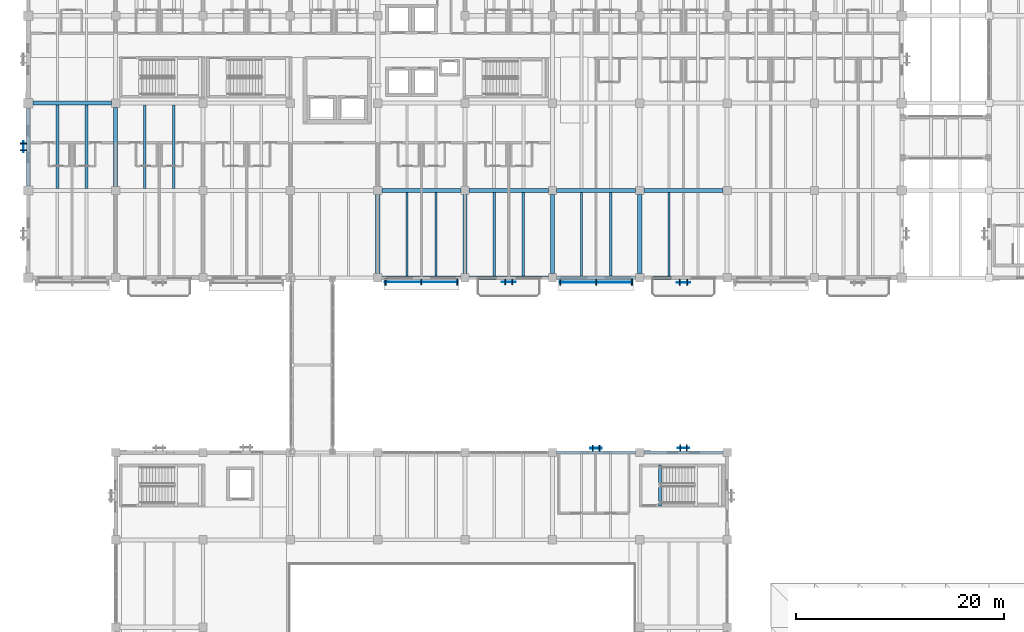
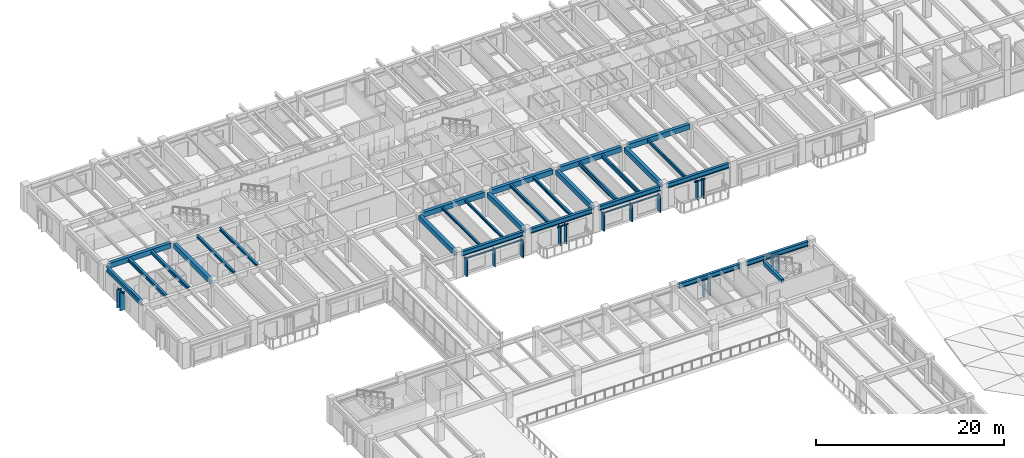
# One storey, part 17 of 123: 29 beams, 23 members, 7 elements without a shape of their own.
"""IFC4 building model written with IfcOpenShell, lengths in metres."""

from ifc_helpers import new_model, si_unit, direction, frame, origin, origin_2d, place, context, subcontext, project, spatial, rectangle, i_section, extrude, material, material_profile, profile_set, type_object, element, aggregate, save


model = new_model("IFC4")

# Units and contexts
model_context = context("Model", 3, precision=1e-05, world=origin(), true_north=direction((0.0, 1.0)))
body_context = subcontext(model_context, "Body", "Model", "MODEL_VIEW")
ifc_project = project(units=[si_unit("LENGTHUNIT", "METRE"), si_unit("AREAUNIT", "SQUARE_METRE"), si_unit("VOLUMEUNIT", "CUBIC_METRE"), si_unit("PLANEANGLEUNIT", "RADIAN"), si_unit("MASSUNIT", "GRAM", prefix="KILO")], contexts=[model_context])

# Site, building, storey
site_placement = place(None, origin())
site = spatial("IfcSite", under=ifc_project, at=site_placement, CompositionType="ELEMENT")
building_placement = place(site_placement, origin())
building = spatial("IfcBuilding", under=site, at=building_placement, Name="Cumbredor Promenade Congress Hotel", CompositionType="ELEMENT")
storey_placement = place(building_placement, frame((0.0, 0.0, 11.760009765625)))
storey = spatial("IfcBuildingStorey", under=building, at=storey_placement, Name="L03", CompositionType="ELEMENT", Elevation=11.760009765625)

# Beams
ifc_material_1 = material(Name="Concrete C40/50", Category="concrete")
ifc_material_profile_1 = material_profile(ifc_material_1, rectangle(XDim=0.39990234375, YDim=0.64990234375, at=origin_2d()), Name="RC BEAM 400x650")
ifc_profile_set_1 = profile_set([ifc_material_profile_1], Name="Concrete C40/50")
beam_type_1 = type_object("IfcBeamType", Name="BM-RC-400x650", PredefinedType="BEAM", material=ifc_profile_set_1)
beam_1_placement = place(storey_placement, frame((0.449951171875, 100.800048828125, 2.794921875), z_axis=(1.0, 0.0, 0.0), x_axis=(0.0, 1.0, 0.0)))
element("IfcBeam", 1, at=beam_1_placement, inside=storey, type_object=beam_type_1, Name="L04 X-Grid Beam 005", PredefinedType="BEAM", context=body_context, shape_type="SweptSolid", body=[
    extrude(rectangle(XDim=0.39990234375, YDim=0.64990234375, at=origin_2d()), origin(), (0.0, 0.0, 1.0), 7.550048828125),
])
beam_2_placement = place(storey_placement, frame((8.39990234375, 92.800048828125, 2.794921875), z_axis=(0.0, 1.0, 0.0), x_axis=(-1.0, 0.0, 0.0)))
element("IfcBeam", 2, at=beam_2_placement, inside=storey, type_object=beam_type_1, Name="L04 Y-Grid Beam 028", PredefinedType="BEAM", context=body_context, shape_type="SweptSolid", body=[
    extrude(rectangle(XDim=0.39990234375, YDim=0.64990234375, at=origin_2d()), origin(), (0.0, 0.0, 1.0), 7.599853515625),
])
for number, where, z_axis, x_axis, name in (
    (3, (33.60009765625, 84.39990234375, 2.715087890625), (0.0, 1.0, 0.0), (-1.0, 0.0, 0.0), "L04 Y-Grid Beam 069"),
    (4, (34.0, 92.39990234375, 2.715087890625), (1.0, 0.0, 0.0), (0.0, 1.0, 0.0), "L04 X-Grid Beam 070"),
    (5, (42.0, 84.39990234375, 2.715087890625), (0.0, 1.0, 0.0), (-1.0, 0.0, 0.0), "L04 Y-Grid Beam 082"),
    (6, (42.39990234375, 92.39990234375, 2.715087890625), (1.0, 0.0, 0.0), (0.0, 1.0, 0.0), "L04 X-Grid Beam 083"),
    (7, (50.39990234375, 84.39990234375, 2.715087890625), (0.0, 1.0, 0.0), (-1.0, 0.0, 0.0), "L04 Y-Grid Beam 095"),
):
    element("IfcBeam", number, at=place(storey_placement, frame(where, z_axis=z_axis, x_axis=x_axis)), inside=storey, type_object=beam_type_1, Name=name, PredefinedType="BEAM", context=body_context, shape_type="SweptSolid", body=[
        extrude(rectangle(XDim=0.39990234375, YDim=0.64990234375, at=origin_2d()), origin(), (0.0, 0.0, 1.0), 7.60009765625),
    ])
beam_3_placement = place(storey_placement, frame((50.800048828125, 92.39990234375, 2.715087890625), z_axis=(1.0, 0.0, 0.0), x_axis=(0.0, 1.0, 0.0)))
element("IfcBeam", 8, at=beam_3_placement, inside=storey, type_object=beam_type_1, Name="L04 X-Grid Beam 096", PredefinedType="BEAM", context=body_context, shape_type="SweptSolid", body=[
    extrude(rectangle(XDim=0.39990234375, YDim=0.64990234375, at=origin_2d()), origin(), (0.0, 0.0, 1.0), 7.599853515625),
])
for number, where, z_axis, x_axis, name in (
    (9, (58.800048828125, 84.39990234375, 2.715087890625), (0.0, 1.0, 0.0), (-1.0, 0.0, 0.0), "L04 Y-Grid Beam 117"),
    (10, (59.199951171875, 92.39990234375, 2.715087890625), (1.0, 0.0, 0.0), (0.0, 1.0, 0.0), "L04 X-Grid Beam 118"),
):
    element("IfcBeam", number, at=place(storey_placement, frame(where, z_axis=z_axis, x_axis=x_axis)), inside=storey, type_object=beam_type_1, Name=name, PredefinedType="BEAM", context=body_context, shape_type="SweptSolid", body=[
        extrude(rectangle(XDim=0.39990234375, YDim=0.64990234375, at=origin_2d()), origin(), (0.0, 0.0, 1.0), 7.60009765625),
    ])
ifc_material_2 = material(Name="Steel ASTM A992 Grade 50", Category="steel")
ifc_material_profile_2 = material_profile(ifc_material_2, i_section(OverallWidth=0.323974609375, OverallDepth=0.611083984375, WebThickness=0.0126953125, FlangeThickness=0.01904296875, at=origin_2d()), Name="W24X104")
ifc_profile_set_2 = profile_set([ifc_material_profile_2], Name="Steel ASTM A992 Grade 50")
beam_type_2 = type_object("IfcBeamType", Name="BM-W24X104", PredefinedType="BEAM", material=ifc_profile_set_2)
for number, where, z_axis, x_axis, name in (
    (11, (34.0, 84.0, 2.734375), (1.0, 0.0, 0.0), (0.0, 1.0, 0.0), "L04 X-Grid Beam 068"),
    (12, (42.39990234375, 84.0, 2.734375), (1.0, 0.0, 0.0), (0.0, 1.0, 0.0), "L04 X-Grid Beam 081"),
):
    element("IfcBeam", number, at=place(storey_placement, frame(where, z_axis=z_axis, x_axis=x_axis)), inside=storey, type_object=beam_type_2, Name=name, PredefinedType="BEAM", context=body_context, shape_type="SweptSolid", body=[
        extrude(i_section(OverallWidth=0.323974609375, OverallDepth=0.611083984375, WebThickness=0.0126953125, FlangeThickness=0.01904296875, at=origin_2d()), origin(), (0.0, 0.0, 1.0), 7.60009765625),
    ])
for number, where, z_axis, x_axis, name in (
    (13, (50.800048828125, 67.199951171875, 2.814453125), (1.0, 0.0, 0.0), (0.0, 1.0, 0.0), "L04 X-Grid Beam 093"),
    (14, (50.800048828125, 84.0, 2.734375), (1.0, 0.0, 0.0), (0.0, 1.0, 0.0), "L04 X-Grid Beam 094"),
):
    element("IfcBeam", number, at=place(storey_placement, frame(where, z_axis=z_axis, x_axis=x_axis)), inside=storey, type_object=beam_type_2, Name=name, PredefinedType="BEAM", context=body_context, shape_type="SweptSolid", body=[
        extrude(i_section(OverallWidth=0.323974609375, OverallDepth=0.611083984375, WebThickness=0.0126953125, FlangeThickness=0.01904296875, at=origin_2d()), origin(), (0.0, 0.0, 1.0), 7.599853515625),
    ])
for number, where, z_axis, x_axis, name in (
    (15, (59.199951171875, 67.199951171875, 2.814453125), (1.0, 0.0, 0.0), (0.0, 1.0, 0.0), "L04 X-Grid Beam 115"),
    (16, (59.199951171875, 84.0, 2.734375), (1.0, 0.0, 0.0), (0.0, 1.0, 0.0), "L04 X-Grid Beam 116"),
):
    element("IfcBeam", number, at=place(storey_placement, frame(where, z_axis=z_axis, x_axis=x_axis)), inside=storey, type_object=beam_type_2, Name=name, PredefinedType="BEAM", context=body_context, shape_type="SweptSolid", body=[
        extrude(i_section(OverallWidth=0.323974609375, OverallDepth=0.611083984375, WebThickness=0.0126953125, FlangeThickness=0.01904296875, at=origin_2d()), origin(), (0.0, 0.0, 1.0), 7.60009765625),
    ])

# Curtain wall, member
ifc_material_3 = material(Name="Thermally broken anodized aluminium and low-E glass", Category="aluminium")
curtain_wall_type = type_object("IfcCurtainWallType", Name="Solar Brise-Soleil Screen Assembly CW-07", PredefinedType="NOTDEFINED", material=ifc_material_3)
curtain_wall_1_placement = place(storey_placement, origin())
curtain_wall_1 = element("IfcCurtainWall", 17, at=curtain_wall_1_placement, inside=storey, type_object=curtain_wall_type, Name="L03 Pier Brise-Soleil Screen 0541", PredefinedType="NOTDEFINED")
ifc_material_4 = material(Name="Thermally broken anodized aluminium", Category="aluminium")
ifc_material_profile_3 = material_profile(ifc_material_4, rectangle(XDim=0.06494140625, YDim=0.1298828125, at=origin_2d()), Name="ALU TRANSOM 65x130")
ifc_profile_set_3 = profile_set([ifc_material_profile_3], Name="Thermally broken anodized aluminium")
member_type_1 = type_object("IfcMemberType", Name="Curtain Wall Transom TR-01", PredefinedType="USERDEFINED", material=ifc_profile_set_3)
member_1_placement = place(storey_placement, frame((54.050048828125, 67.610107421875, 2.333984375), z_axis=(1.0, 0.0, 0.0), x_axis=(0.0, 1.0, 0.0)))
member_1 = element("IfcMember", 18, at=member_1_placement, type_object=member_type_1, Name="L03 Pier Brise-Soleil Header 0543", ObjectType="TRANSOM", PredefinedType="USERDEFINED", context=body_context, shape_type="SweptSolid", body=[
    extrude(rectangle(XDim=0.06494140625, YDim=0.1298828125, at=origin_2d()), origin(), (0.0, 0.0, 1.0), 1.099853515625),
])

curtain_wall_2_placement = place(storey_placement, origin())
curtain_wall_2 = element("IfcCurtainWall", 19, at=curtain_wall_2_placement, inside=storey, type_object=curtain_wall_type, Name="L03 Pier Brise-Soleil Screen 0544", PredefinedType="NOTDEFINED")
member_2_placement = place(storey_placement, frame((62.449951171875, 67.62255859375, 2.333984375), z_axis=(1.0, 0.0, 0.0), x_axis=(0.0, 1.0, 0.0)))
member_2 = element("IfcMember", 20, at=member_2_placement, type_object=member_type_1, Name="L03 Pier Brise-Soleil Header 0546", ObjectType="TRANSOM", PredefinedType="USERDEFINED", context=body_context, shape_type="SweptSolid", body=[
    extrude(rectangle(XDim=0.06494140625, YDim=0.1298828125, at=origin_2d()), origin(), (0.0, 0.0, 1.0), 1.10009765625),
])

curtain_wall_3_placement = place(storey_placement, origin())
curtain_wall_3 = element("IfcCurtainWall", 21, at=curtain_wall_3_placement, inside=storey, type_object=curtain_wall_type, Name="L03 Hospitality Brise-Soleil Screen 058", PredefinedType="NOTDEFINED")
member_3_placement = place(storey_placement, frame((34.301025390625, 83.60009765625, 2.23388671875), z_axis=(1.0, 0.0, 0.0), x_axis=(0.0, 1.0, 0.0)))
member_3 = element("IfcMember", 22, at=member_3_placement, type_object=member_type_1, Name="L03 Brise-Soleil Screen Transom 058", ObjectType="TRANSOM", PredefinedType="USERDEFINED", context=body_context, shape_type="SweptSolid", body=[
    extrude(rectangle(XDim=0.06494140625, YDim=0.1298828125, at=origin_2d()), origin(), (0.0, 0.0, 1.0), 6.998046875),
])

curtain_wall_4_placement = place(storey_placement, origin())
curtain_wall_4 = element("IfcCurtainWall", 23, at=curtain_wall_4_placement, inside=storey, type_object=curtain_wall_type, Name="L03 Veranda Solar Brise-Soleil Screen 631", PredefinedType="NOTDEFINED")
member_4_placement = place(storey_placement, frame((45.550048828125, 83.590087890625, 2.333984375), z_axis=(1.0, 0.0, 0.0), x_axis=(0.0, 1.0, 0.0)))
member_4 = element("IfcMember", 24, at=member_4_placement, type_object=member_type_1, Name="L03 Brise-Soleil Header Tie 0633", ObjectType="TRANSOM", PredefinedType="USERDEFINED", context=body_context, shape_type="SweptSolid", body=[
    extrude(rectangle(XDim=0.06494140625, YDim=0.1298828125, at=origin_2d()), origin(), (0.0, 0.0, 1.0), 1.300048828125),
])

curtain_wall_5_placement = place(storey_placement, origin())
curtain_wall_5 = element("IfcCurtainWall", 25, at=curtain_wall_5_placement, inside=storey, type_object=curtain_wall_type, Name="L03 Hospitality Brise-Soleil Screen 059", PredefinedType="NOTDEFINED")
member_5_placement = place(storey_placement, frame((51.10107421875, 83.577392578125, 2.23388671875), z_axis=(1.0, 0.0, 0.0), x_axis=(0.0, 1.0, 0.0)))
member_5 = element("IfcMember", 26, at=member_5_placement, type_object=member_type_1, Name="L03 Brise-Soleil Screen Transom 059", ObjectType="TRANSOM", PredefinedType="USERDEFINED", context=body_context, shape_type="SweptSolid", body=[
    extrude(rectangle(XDim=0.06494140625, YDim=0.1298828125, at=origin_2d()), origin(), (0.0, 0.0, 1.0), 6.998046875),
])

curtain_wall_6_placement = place(storey_placement, origin())
curtain_wall_6 = element("IfcCurtainWall", 27, at=curtain_wall_6_placement, inside=storey, type_object=curtain_wall_type, Name="L03 Veranda Solar Brise-Soleil Screen 637", PredefinedType="NOTDEFINED")
member_6_placement = place(storey_placement, frame((62.35009765625, 83.56494140625, 2.333984375), z_axis=(1.0, 0.0, 0.0), x_axis=(0.0, 1.0, 0.0)))
member_6 = element("IfcMember", 28, at=member_6_placement, type_object=member_type_1, Name="L03 Brise-Soleil Header Tie 0639", ObjectType="TRANSOM", PredefinedType="USERDEFINED", context=body_context, shape_type="SweptSolid", body=[
    extrude(rectangle(XDim=0.06494140625, YDim=0.1298828125, at=origin_2d()), origin(), (0.0, 0.0, 1.0), 1.2998046875),
])

curtain_wall_7_placement = place(storey_placement, origin())
curtain_wall_7 = element("IfcCurtainWall", 29, at=curtain_wall_7_placement, inside=storey, type_object=curtain_wall_type, Name="L03 Pier Brise-Soleil Screen 0676", PredefinedType="NOTDEFINED")
member_7_placement = place(storey_placement, frame((-0.472412109375, 96.050048828125, 2.333984375), z_axis=(0.0, 1.0, 0.0), x_axis=(-1.0, 0.0, 0.0)))
member_7 = element("IfcMember", 30, at=member_7_placement, type_object=member_type_1, Name="L03 Pier Brise-Soleil Header 0678", ObjectType="TRANSOM", PredefinedType="USERDEFINED", context=body_context, shape_type="SweptSolid", body=[
    extrude(rectangle(XDim=0.06494140625, YDim=0.1298828125, at=origin_2d()), origin(), (0.0, 0.0, 1.0), 1.099853515625),
])

# Beams
ifc_material_profile_4 = material_profile(ifc_material_2, i_section(OverallWidth=0.202880859375, OverallDepth=0.302978515625, WebThickness=0.007568359375, FlangeThickness=0.01318359375, at=origin_2d()), Name="W12X40")
ifc_profile_set_4 = profile_set([ifc_material_profile_4], Name="Steel ASTM A992 Grade 50")
beam_type_3 = type_object("IfcBeamType", Name="JST-W12X40", PredefinedType="JOIST", material=ifc_profile_set_4)
for number, where, z_axis, x_axis, name in (
    (31, (36.39990234375, 84.162109375, 2.888427734375), (0.0, 1.0, 0.0), (-1.0, 0.0, 0.0), "L04 Secondary Floor Joist 0040"),
    (32, (39.199951171875, 84.162109375, 2.888427734375), (0.0, 1.0, 0.0), (-1.0, 0.0, 0.0), "L04 Secondary Floor Joist 0041"),
):
    element("IfcBeam", number, at=place(storey_placement, frame(where, z_axis=z_axis, x_axis=x_axis)), inside=storey, type_object=beam_type_3, Name=name, PredefinedType="JOIST", context=body_context, shape_type="SweptSolid", body=[
        extrude(i_section(OverallWidth=0.202880859375, OverallDepth=0.302978515625, WebThickness=0.007568359375, FlangeThickness=0.01318359375, at=origin_2d()), origin(), (0.0, 0.0, 1.0), 8.037841796875),
    ])
ifc_material_profile_5 = material_profile(ifc_material_2, i_section(OverallWidth=0.2548828125, OverallDepth=0.35693359375, WebThickness=0.010498046875, FlangeThickness=0.018310546875, at=origin_2d()), Name="W14X68")
ifc_profile_set_5 = profile_set([ifc_material_profile_5], Name="Steel ASTM A992 Grade 50")
beam_type_4 = type_object("IfcBeamType", Name="JST-W14X68", PredefinedType="JOIST", material=ifc_profile_set_5)
for number, where, z_axis, x_axis, name in (
    (33, (11.199951171875, 92.60009765625, 2.94140625), (0.0, 1.0, 0.0), (-1.0, 0.0, 0.0), "L04 Secondary Floor Joist 0021"),
    (34, (14.0, 92.60009765625, 2.94140625), (0.0, 1.0, 0.0), (-1.0, 0.0, 0.0), "L04 Secondary Floor Joist 0022"),
):
    element("IfcBeam", number, at=place(storey_placement, frame(where, z_axis=z_axis, x_axis=x_axis)), inside=storey, type_object=beam_type_4, Name=name, PredefinedType="JOIST", context=body_context, shape_type="SweptSolid", body=[
        extrude(i_section(OverallWidth=0.2548828125, OverallDepth=0.35693359375, WebThickness=0.010498046875, FlangeThickness=0.018310546875, at=origin_2d()), origin(), (0.0, 0.0, 1.0), 8.0),
    ])
for number, where, z_axis, x_axis, name in (
    (35, (44.800048828125, 84.162109375, 2.861572265625), (0.0, 1.0, 0.0), (-1.0, 0.0, 0.0), "L04 Secondary Floor Joist 0046"),
    (36, (47.60009765625, 84.162109375, 2.861572265625), (0.0, 1.0, 0.0), (-1.0, 0.0, 0.0), "L04 Secondary Floor Joist 0047"),
):
    element("IfcBeam", number, at=place(storey_placement, frame(where, z_axis=z_axis, x_axis=x_axis)), inside=storey, type_object=beam_type_4, Name=name, PredefinedType="JOIST", context=body_context, shape_type="SweptSolid", body=[
        extrude(i_section(OverallWidth=0.2548828125, OverallDepth=0.35693359375, WebThickness=0.010498046875, FlangeThickness=0.018310546875, at=origin_2d()), origin(), (0.0, 0.0, 1.0), 8.037841796875),
    ])
ifc_material_profile_6 = material_profile(ifc_material_2, i_section(OverallWidth=0.180908203125, OverallDepth=0.4169921875, WebThickness=0.010986328125, FlangeThickness=0.018310546875, at=origin_2d()), Name="W16X57")
ifc_profile_set_6 = profile_set([ifc_material_profile_6], Name="Steel ASTM A992 Grade 50")
beam_type_5 = type_object("IfcBeamType", Name="JST-W16X57", PredefinedType="JOIST", material=ifc_profile_set_6)
beam_4_placement = place(storey_placement, frame((61.60009765625, 84.162109375, 2.83154296875), z_axis=(0.0, 1.0, 0.0), x_axis=(-1.0, 0.0, 0.0)))
element("IfcBeam", 37, at=beam_4_placement, inside=storey, type_object=beam_type_5, Name="L04 Secondary Floor Joist 0072", PredefinedType="JOIST", context=body_context, shape_type="SweptSolid", body=[
    extrude(i_section(OverallWidth=0.180908203125, OverallDepth=0.4169921875, WebThickness=0.010986328125, FlangeThickness=0.018310546875, at=origin_2d()), origin(), (0.0, 0.0, 1.0), 8.037841796875),
])
ifc_material_profile_7 = material_profile(ifc_material_2, i_section(OverallWidth=0.280029296875, OverallDepth=0.462890625, WebThickness=0.0107421875, FlangeThickness=0.017333984375, at=origin_2d()), Name="W18X76")
ifc_profile_set_7 = profile_set([ifc_material_profile_7], Name="Steel ASTM A992 Grade 50")
beam_type_6 = type_object("IfcBeamType", Name="JST-W18X76", PredefinedType="JOIST", material=ifc_profile_set_7)
for number, where, z_axis, x_axis, name in (
    (38, (2.800048828125, 92.60009765625, 2.888427734375), (0.0, 1.0, 0.0), (-1.0, 0.0, 0.0), "L04 Secondary Floor Joist 0003"),
    (39, (5.60009765625, 92.60009765625, 2.888427734375), (0.0, 1.0, 0.0), (-1.0, 0.0, 0.0), "L04 Secondary Floor Joist 0004"),
):
    element("IfcBeam", number, at=place(storey_placement, frame(where, z_axis=z_axis, x_axis=x_axis)), inside=storey, type_object=beam_type_6, Name=name, PredefinedType="JOIST", context=body_context, shape_type="SweptSolid", body=[
        extrude(i_section(OverallWidth=0.280029296875, OverallDepth=0.462890625, WebThickness=0.0107421875, FlangeThickness=0.017333984375, at=origin_2d()), origin(), (0.0, 0.0, 1.0), 8.0),
    ])
ifc_material_profile_8 = material_profile(ifc_material_2, i_section(OverallWidth=0.214111328125, OverallDepth=0.549072265625, WebThickness=0.0146484375, FlangeThickness=0.023681640625, at=origin_2d()), Name="W21X93")
ifc_profile_set_8 = profile_set([ifc_material_profile_8], Name="Steel ASTM A992 Grade 50")
beam_type_7 = type_object("IfcBeamType", Name="JST-W21X93", PredefinedType="JOIST", material=ifc_profile_set_8)
for number, where, z_axis, x_axis, name in (
    (40, (53.199951171875, 84.162109375, 2.765380859375), (0.0, 1.0, 0.0), (-1.0, 0.0, 0.0), "L04 Secondary Floor Joist 0054"),
    (41, (56.0, 84.162109375, 2.765380859375), (0.0, 1.0, 0.0), (-1.0, 0.0, 0.0), "L04 Secondary Floor Joist 0055"),
):
    element("IfcBeam", number, at=place(storey_placement, frame(where, z_axis=z_axis, x_axis=x_axis)), inside=storey, type_object=beam_type_7, Name=name, PredefinedType="JOIST", context=body_context, shape_type="SweptSolid", body=[
        extrude(i_section(OverallWidth=0.214111328125, OverallDepth=0.549072265625, WebThickness=0.0146484375, FlangeThickness=0.023681640625, at=origin_2d()), origin(), (0.0, 0.0, 1.0), 8.037841796875),
    ])
ifc_material_profile_9 = material_profile(ifc_material_1, rectangle(XDim=0.300048828125, YDim=0.5, at=origin_2d()), Name="RC LINTEL 300x500")
ifc_profile_set_9 = profile_set([ifc_material_profile_9], Name="Concrete C40/50")
beam_type_8 = type_object("IfcBeamType", Name="LN-RC-300x500", PredefinedType="LINTEL", material=ifc_profile_set_9)
beam_5_placement = place(storey_placement, frame((60.75, 62.050048828125, 3.110107421875), z_axis=(0.0, 1.0, 0.0), x_axis=(-1.0, 0.0, 0.0)))
element("IfcBeam", 42, at=beam_5_placement, inside=storey, type_object=beam_type_8, Name="L04 Stair ST-07 Well Header Trimmer Beam", PredefinedType="LINTEL", context=body_context, shape_type="SweptSolid", body=[
    extrude(rectangle(XDim=0.300048828125, YDim=0.5, at=origin_2d()), origin(), (0.0, 0.0, 1.0), 3.949951171875),
])
ifc_material_profile_10 = material_profile(ifc_material_2, i_section(OverallWidth=0.323974609375, OverallDepth=0.611083984375, WebThickness=0.0126953125, FlangeThickness=0.01904296875, at=origin_2d()), Name="W24X104")
ifc_profile_set_10 = profile_set([ifc_material_profile_10], Name="Steel ASTM A992 Grade 50")
beam_type_9 = type_object("IfcBeamType", Name="SP-W24X104", PredefinedType="SPANDREL", material=ifc_profile_set_10)
beam_6_placement = place(storey_placement, frame((0.0, 92.85009765625, 2.814453125), z_axis=(0.0, 1.0, 0.0), x_axis=(-1.0, 0.0, 0.0)))
element("IfcBeam", 43, at=beam_6_placement, inside=storey, type_object=beam_type_9, Name="L04 Y-Grid Beam 004", PredefinedType="SPANDREL", context=body_context, shape_type="SweptSolid", body=[
    extrude(i_section(OverallWidth=0.323974609375, OverallDepth=0.611083984375, WebThickness=0.0126953125, FlangeThickness=0.01904296875, at=origin_2d()), origin(), (0.0, 0.0, 1.0), 7.5),
])

# Member
ifc_material_profile_11 = material_profile(ifc_material_4, rectangle(XDim=0.110107421875, YDim=0.6201171875, at=origin_2d()), Name="ARCH FIN 110x620")
ifc_profile_set_11 = profile_set([ifc_material_profile_11], Name="Thermally broken anodized aluminium")
member_type_2 = type_object("IfcMemberType", Name="Vertical Bronze Brise-Soleil Fin BSF-02 110x620", PredefinedType="USERDEFINED", material=ifc_profile_set_11)
member_8_placement = place(storey_placement, frame((54.280029296875, 67.610107421875, 0.02001953125), z_axis=(0.0, 0.0, 1.0), x_axis=(1.0, 0.0, 0.0)))
member_8 = element("IfcMember", 44, at=member_8_placement, type_object=member_type_2, Name="L03 Pier Brise-Soleil Fin 0542", ObjectType="SOLAR FIN", PredefinedType="USERDEFINED", context=body_context, shape_type="SweptSolid", body=[
    extrude(rectangle(XDim=0.110107421875, YDim=0.6201171875, at=origin_2d()), origin(), (0.0, 0.0, 1.0), 2.35400390625),
])

member_9_placement = place(storey_placement, frame((54.919921875, 67.610107421875, 0.02001953125), z_axis=(0.0, 0.0, 1.0), x_axis=(1.0, 0.0, 0.0)))
member_9 = element("IfcMember", 45, at=member_9_placement, type_object=member_type_2, Name="L03 Pier Brise-Soleil Fin 0543", ObjectType="SOLAR FIN", PredefinedType="USERDEFINED", context=body_context, shape_type="SweptSolid", body=[
    extrude(rectangle(XDim=0.110107421875, YDim=0.6201171875, at=origin_2d()), origin(), (0.0, 0.0, 1.0), 2.35400390625),
])

aggregate(curtain_wall_1, [member_8, member_9, member_1])

member_10_placement = place(storey_placement, frame((62.679931640625, 67.62255859375, 0.02001953125), z_axis=(0.0, 0.0, 1.0), x_axis=(1.0, 0.0, 0.0)))
member_10 = element("IfcMember", 46, at=member_10_placement, type_object=member_type_2, Name="L03 Pier Brise-Soleil Fin 0545", ObjectType="SOLAR FIN", PredefinedType="USERDEFINED", context=body_context, shape_type="SweptSolid", body=[
    extrude(rectangle(XDim=0.110107421875, YDim=0.6201171875, at=origin_2d()), origin(), (0.0, 0.0, 1.0), 2.35400390625),
])

member_11_placement = place(storey_placement, frame((63.320068359375, 67.62255859375, 0.02001953125), z_axis=(0.0, 0.0, 1.0), x_axis=(1.0, 0.0, 0.0)))
member_11 = element("IfcMember", 47, at=member_11_placement, type_object=member_type_2, Name="L03 Pier Brise-Soleil Fin 0546", ObjectType="SOLAR FIN", PredefinedType="USERDEFINED", context=body_context, shape_type="SweptSolid", body=[
    extrude(rectangle(XDim=0.110107421875, YDim=0.6201171875, at=origin_2d()), origin(), (0.0, 0.0, 1.0), 2.35400390625),
])

aggregate(curtain_wall_2, [member_10, member_11, member_2])

member_12_placement = place(storey_placement, frame((34.35107421875, 83.60009765625, 0.02001953125), z_axis=(0.0, 0.0, 1.0), x_axis=(1.0, 0.0, 0.0)))
member_12 = element("IfcMember", 48, at=member_12_placement, type_object=member_type_2, Name="L03 Vertical Brise-Soleil Fin 0628", ObjectType="SOLAR FIN", PredefinedType="USERDEFINED", context=body_context, shape_type="SweptSolid", body=[
    extrude(rectangle(XDim=0.110107421875, YDim=0.6201171875, at=origin_2d()), origin(), (0.0, 0.0, 1.0), 2.27392578125),
])

member_13_placement = place(storey_placement, frame((41.2490234375, 83.60009765625, 0.02001953125), z_axis=(0.0, 0.0, 1.0), x_axis=(1.0, 0.0, 0.0)))
member_13 = element("IfcMember", 49, at=member_13_placement, type_object=member_type_2, Name="L03 Vertical Brise-Soleil Fin 0630", ObjectType="SOLAR FIN", PredefinedType="USERDEFINED", context=body_context, shape_type="SweptSolid", body=[
    extrude(rectangle(XDim=0.110107421875, YDim=0.6201171875, at=origin_2d()), origin(), (0.0, 0.0, 1.0), 2.27392578125),
])

member_14_placement = place(storey_placement, frame((51.15087890625, 83.577392578125, 0.02001953125), z_axis=(0.0, 0.0, 1.0), x_axis=(1.0, 0.0, 0.0)))
member_14 = element("IfcMember", 50, at=member_14_placement, type_object=member_type_2, Name="L03 Vertical Brise-Soleil Fin 0634", ObjectType="SOLAR FIN", PredefinedType="USERDEFINED", context=body_context, shape_type="SweptSolid", body=[
    extrude(rectangle(XDim=0.110107421875, YDim=0.6201171875, at=origin_2d()), origin(), (0.0, 0.0, 1.0), 2.27392578125),
])

member_15_placement = place(storey_placement, frame((58.049072265625, 83.577392578125, 0.02001953125), z_axis=(0.0, 0.0, 1.0), x_axis=(1.0, 0.0, 0.0)))
member_15 = element("IfcMember", 51, at=member_15_placement, type_object=member_type_2, Name="L03 Vertical Brise-Soleil Fin 0636", ObjectType="SOLAR FIN", PredefinedType="USERDEFINED", context=body_context, shape_type="SweptSolid", body=[
    extrude(rectangle(XDim=0.110107421875, YDim=0.6201171875, at=origin_2d()), origin(), (0.0, 0.0, 1.0), 2.27392578125),
])

member_16_placement = place(storey_placement, frame((-0.472412109375, 96.280029296875, 0.02001953125), z_axis=(0.0, 0.0, 1.0), x_axis=(0.0, 1.0, 0.0)))
member_16 = element("IfcMember", 52, at=member_16_placement, type_object=member_type_2, Name="L03 Pier Brise-Soleil Fin 0677", ObjectType="SOLAR FIN", PredefinedType="USERDEFINED", context=body_context, shape_type="SweptSolid", body=[
    extrude(rectangle(XDim=0.110107421875, YDim=0.6201171875, at=origin_2d()), origin(), (0.0, 0.0, 1.0), 2.35400390625),
])

member_17_placement = place(storey_placement, frame((-0.472412109375, 96.919921875, 0.02001953125), z_axis=(0.0, 0.0, 1.0), x_axis=(0.0, 1.0, 0.0)))
member_17 = element("IfcMember", 53, at=member_17_placement, type_object=member_type_2, Name="L03 Pier Brise-Soleil Fin 0678", ObjectType="SOLAR FIN", PredefinedType="USERDEFINED", context=body_context, shape_type="SweptSolid", body=[
    extrude(rectangle(XDim=0.110107421875, YDim=0.6201171875, at=origin_2d()), origin(), (0.0, 0.0, 1.0), 2.35400390625),
])

aggregate(curtain_wall_7, [member_16, member_17, member_7])

ifc_material_5 = material(Name="Kiln-dried tropical hardwood", Category="wood")
ifc_material_profile_12 = material_profile(ifc_material_5, rectangle(XDim=0.090087890625, YDim=0.550048828125, at=origin_2d()), Name="ARCH FIN 90x550")
ifc_profile_set_12 = profile_set([ifc_material_profile_12], Name="Kiln-dried tropical hardwood")
member_type_3 = type_object("IfcMemberType", Name="Vertical Hardwood Brise-Soleil Fin BSF-01 90x550", PredefinedType="USERDEFINED", material=ifc_profile_set_12)
member_18_placement = place(storey_placement, frame((37.800048828125, 83.60009765625, 0.02001953125), z_axis=(0.0, 0.0, 1.0), x_axis=(1.0, 0.0, 0.0)))
member_18 = element("IfcMember", 54, at=member_18_placement, type_object=member_type_3, Name="L03 Vertical Brise-Soleil Fin 0629", ObjectType="SOLAR FIN", PredefinedType="USERDEFINED", context=body_context, shape_type="SweptSolid", body=[
    extrude(rectangle(XDim=0.090087890625, YDim=0.550048828125, at=origin_2d()), origin(), (0.0, 0.0, 1.0), 2.27392578125),
])

aggregate(curtain_wall_3, [member_3, member_12, member_18, member_13])

member_19_placement = place(storey_placement, frame((45.85009765625, 83.590087890625, -0.010009765625), z_axis=(0.0, 0.0, 1.0), x_axis=(1.0, 0.0, 0.0)))
member_19 = element("IfcMember", 55, at=member_19_placement, type_object=member_type_3, Name="L03 Vertical Hardwood Brise-Soleil Fin 0632", ObjectType="SOLAR FIN", PredefinedType="USERDEFINED", context=body_context, shape_type="SweptSolid", body=[
    extrude(rectangle(XDim=0.090087890625, YDim=0.550048828125, at=origin_2d()), origin(), (0.0, 0.0, 1.0), 2.404052734375),
])

member_20_placement = place(storey_placement, frame((46.550048828125, 83.590087890625, -0.010009765625), z_axis=(0.0, 0.0, 1.0), x_axis=(1.0, 0.0, 0.0)))
member_20 = element("IfcMember", 56, at=member_20_placement, type_object=member_type_3, Name="L03 Vertical Hardwood Brise-Soleil Fin 0633", ObjectType="SOLAR FIN", PredefinedType="USERDEFINED", context=body_context, shape_type="SweptSolid", body=[
    extrude(rectangle(XDim=0.090087890625, YDim=0.550048828125, at=origin_2d()), origin(), (0.0, 0.0, 1.0), 2.404052734375),
])

aggregate(curtain_wall_4, [member_19, member_20, member_4])

member_21_placement = place(storey_placement, frame((54.60009765625, 83.577392578125, 0.02001953125), z_axis=(0.0, 0.0, 1.0), x_axis=(1.0, 0.0, 0.0)))
member_21 = element("IfcMember", 57, at=member_21_placement, type_object=member_type_3, Name="L03 Vertical Brise-Soleil Fin 0635", ObjectType="SOLAR FIN", PredefinedType="USERDEFINED", context=body_context, shape_type="SweptSolid", body=[
    extrude(rectangle(XDim=0.090087890625, YDim=0.550048828125, at=origin_2d()), origin(), (0.0, 0.0, 1.0), 2.27392578125),
])

aggregate(curtain_wall_5, [member_5, member_14, member_21, member_15])

member_22_placement = place(storey_placement, frame((62.64990234375, 83.56494140625, -0.010009765625), z_axis=(0.0, 0.0, 1.0), x_axis=(1.0, 0.0, 0.0)))
member_22 = element("IfcMember", 58, at=member_22_placement, type_object=member_type_3, Name="L03 Vertical Hardwood Brise-Soleil Fin 0638", ObjectType="SOLAR FIN", PredefinedType="USERDEFINED", context=body_context, shape_type="SweptSolid", body=[
    extrude(rectangle(XDim=0.090087890625, YDim=0.550048828125, at=origin_2d()), origin(), (0.0, 0.0, 1.0), 2.404052734375),
])

member_23_placement = place(storey_placement, frame((63.35009765625, 83.56494140625, -0.010009765625), z_axis=(0.0, 0.0, 1.0), x_axis=(1.0, 0.0, 0.0)))
member_23 = element("IfcMember", 59, at=member_23_placement, type_object=member_type_3, Name="L03 Vertical Hardwood Brise-Soleil Fin 0639", ObjectType="SOLAR FIN", PredefinedType="USERDEFINED", context=body_context, shape_type="SweptSolid", body=[
    extrude(rectangle(XDim=0.090087890625, YDim=0.550048828125, at=origin_2d()), origin(), (0.0, 0.0, 1.0), 2.404052734375),
])

aggregate(curtain_wall_6, [member_22, member_23, member_6])

save(model, "model.ifc")
